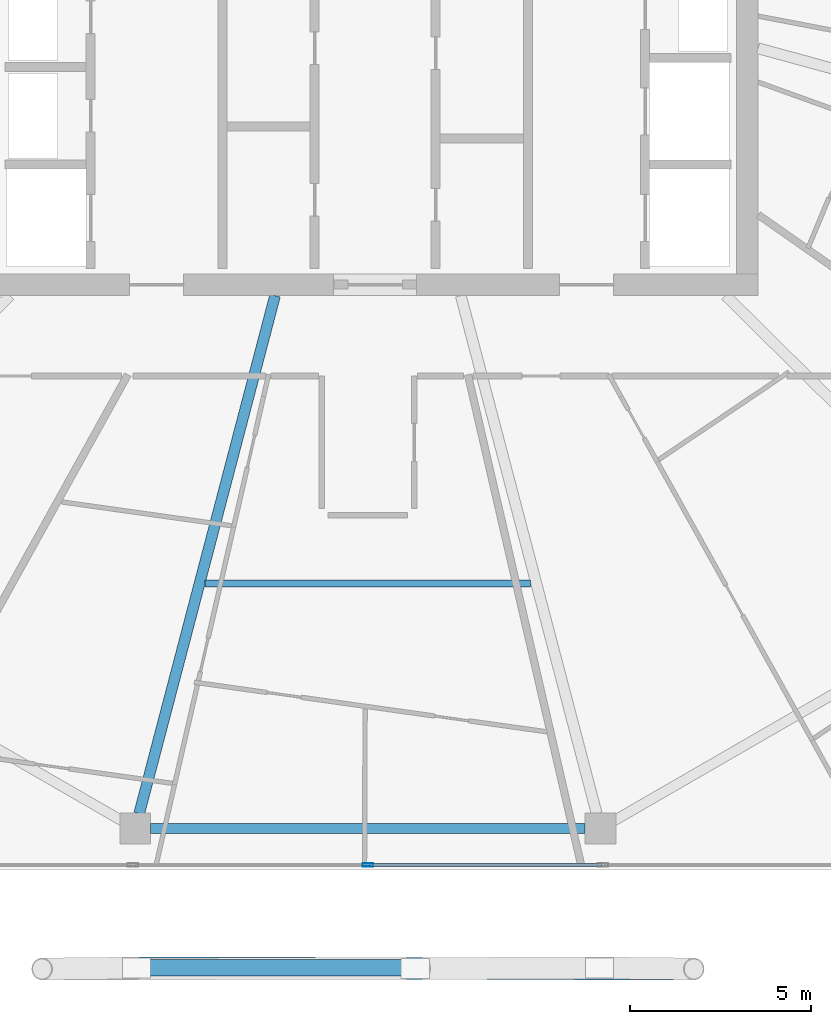
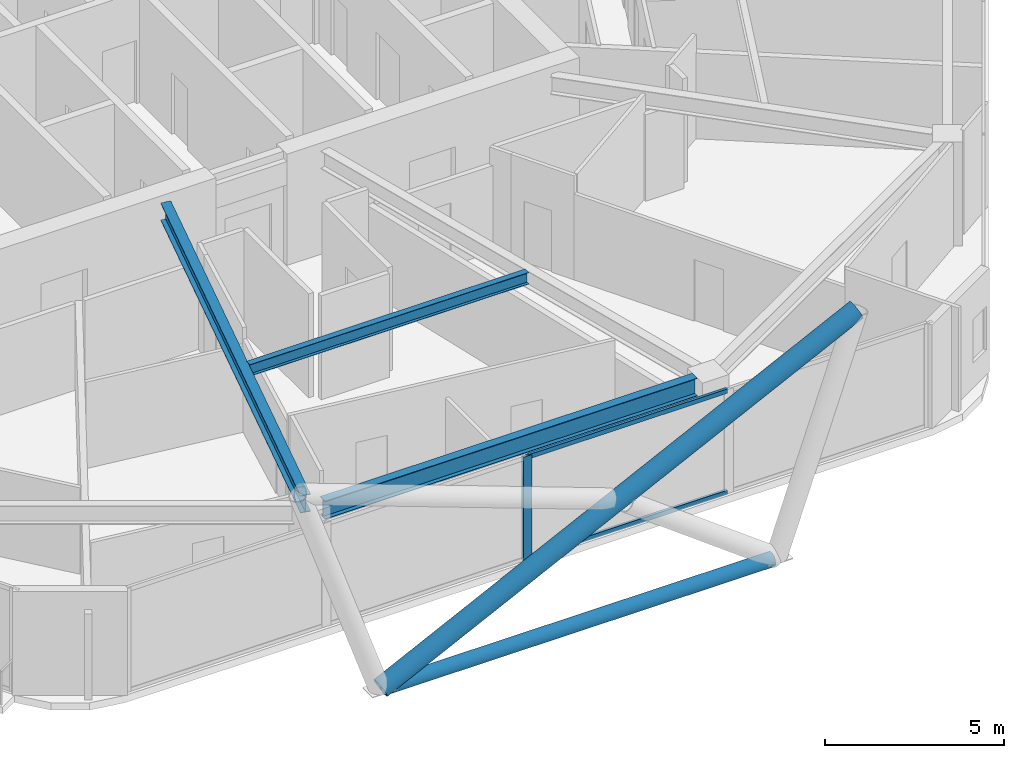
# One storey, part 4 of 28: 5 members, 3 beams, 1 element without a shape of its own.
"""IFC4 building model written with IfcOpenShell, lengths in metres."""

from ifc_helpers import new_model, si_unit, direction, frame, origin, origin_2d, place, context, subcontext, project, spatial, hollow_rectangle, hollow_circle, i_section, extrude, material, material_profile, profile_set, type_object, element, aggregate, save


model = new_model("IFC4")

# Units and contexts
model_context = context("Model", 3, precision=1e-05, world=origin(), true_north=direction((0.0, 1.0)))
body_context = subcontext(model_context, "Body", "Model", "MODEL_VIEW")
ifc_project = project(units=[si_unit("LENGTHUNIT", "METRE"), si_unit("AREAUNIT", "SQUARE_METRE"), si_unit("VOLUMEUNIT", "CUBIC_METRE"), si_unit("PLANEANGLEUNIT", "RADIAN"), si_unit("MASSUNIT", "GRAM", prefix="KILO")], contexts=[model_context])

# Site, building, storey
site_placement = place(None, origin())
site = spatial("IfcSite", under=ifc_project, at=site_placement, CompositionType="ELEMENT")
building_placement = place(site_placement, origin())
building = spatial("IfcBuilding", under=site, at=building_placement, Name="Zuhravey Tower", CompositionType="ELEMENT")
storey_placement = place(building_placement, frame((0.0, 0.0, 284.39990234375)))
storey = spatial("IfcBuildingStorey", under=building, at=storey_placement, Name="L72", CompositionType="ELEMENT", Elevation=284.39990234375)

# Curtain wall, members
ifc_material_1 = material(Name="Thermally broken anodised aluminium", Category="aluminium")
curtain_wall_type = type_object("IfcCurtainWallType", Name="Zone 3-4 High-Rise Curtain Wall CW4", PredefinedType="NOTDEFINED", material=ifc_material_1)
curtain_wall_placement = place(storey_placement, origin())
curtain_wall = element("IfcCurtainWall", 1, at=curtain_wall_placement, inside=storey, type_object=curtain_wall_type, Name="L72 CW4 CW-L72-F5-1", PredefinedType="NOTDEFINED")
ifc_material_2 = material(Name="Anodised aluminium", Category="aluminium")
ifc_material_profile_1 = material_profile(ifc_material_2, hollow_rectangle(XDim=0.090087890625, YDim=0.284912109375, WallThickness=0.0048828125, at=origin_2d()), Name="ALU-RHS-90x285x5")
ifc_profile_set_1 = profile_set([ifc_material_profile_1], Name="Anodised aluminium")
member_type_1 = type_object("IfcMemberType", Name="Curtain-Wall Mullion 90x180", PredefinedType="MULLION", material=ifc_profile_set_1)
member_1_placement = place(storey_placement, frame((36.0, 6.436279296875, 0.0), z_axis=(0.0, 0.0, 1.0), x_axis=(0.0, -1.0, 0.0)))
member_1 = element("IfcMember", 2, at=member_1_placement, type_object=member_type_1, Name="CW4 mullion 3", PredefinedType="MULLION", context=body_context, shape_type="SweptSolid", body=[
    extrude(hollow_rectangle(XDim=0.090087890625, YDim=0.284912109375, WallThickness=0.0048828125, at=origin_2d()), origin(), (0.0, 0.0, 1.0), 3.550048828125),
])
ifc_material_profile_2 = material_profile(ifc_material_2, hollow_rectangle(XDim=0.090087890625, YDim=0.14990234375, WallThickness=0.0048828125, at=origin_2d()), Name="ALU-RHS-90x150x5")
ifc_profile_set_2 = profile_set([ifc_material_profile_2], Name="Anodised aluminium")
member_type_2 = type_object("IfcMemberType", Name="Curtain-Wall Transom 90x150", PredefinedType="USERDEFINED", material=ifc_profile_set_2)
member_2_placement = place(storey_placement, frame((42.46142578125, 6.436279296875, 0.045166015625), z_axis=(-1.0, 0.0, 0.0), x_axis=(0.0, -1.0, 0.0)))
member_2 = element("IfcMember", 3, at=member_2_placement, type_object=member_type_2, Name="CW4 transom 2.1", ObjectType="TRANSOM", PredefinedType="USERDEFINED", context=body_context, shape_type="SweptSolid", body=[
    extrude(hollow_rectangle(XDim=0.090087890625, YDim=0.14990234375, WallThickness=0.0048828125, at=origin_2d()), origin(), (0.0, 0.0, 1.0), 6.41650390625),
])
member_3_placement = place(storey_placement, frame((42.46142578125, 6.436279296875, 3.505126953125), z_axis=(-1.0, 0.0, 0.0), x_axis=(0.0, -1.0, 0.0)))
member_3 = element("IfcMember", 4, at=member_3_placement, type_object=member_type_2, Name="CW4 transom 2.2", ObjectType="TRANSOM", PredefinedType="USERDEFINED", context=body_context, shape_type="SweptSolid", body=[
    extrude(hollow_rectangle(XDim=0.090087890625, YDim=0.14990234375, WallThickness=0.0048828125, at=origin_2d()), origin(), (0.0, 0.0, 1.0), 6.41650390625),
])
aggregate(curtain_wall, [member_1, member_2, member_3])

# Members
ifc_material_3 = material(Name="Steel SM355", Category="steel")
ifc_material_profile_3 = material_profile(ifc_material_3, hollow_circle(Radius=0.228515625, WallThickness=0.02197265625, at=origin_2d()), Name="CHS-457.2x22")
ifc_profile_set_3 = profile_set([ifc_material_profile_3], Name="Steel SM355")
member_type_3 = type_object("IfcMemberType", Name="Exoskeleton Ring Tie CHS457x22", PredefinedType="CHORD", material=ifc_profile_set_3)
member_4_placement = place(storey_placement, frame((29.732421875, 3.58642578125, -0.4638671875), z_axis=(1.0, 0.0, 0.0), x_axis=(0.0, 1.0, 0.0)))
element("IfcMember", 5, at=member_4_placement, inside=storey, type_object=member_type_3, Name="L72 Exoskeleton Face 5 Tie EXR1", PredefinedType="CHORD", context=body_context, shape_type="SweptSolid", body=[
    extrude(hollow_circle(Radius=0.228515625, WallThickness=0.02197265625, at=origin_2d()), origin(), (0.0, 0.0, 1.0), 12.53515625),
])
ifc_material_profile_4 = material_profile(ifc_material_3, hollow_circle(Radius=0.3046875, WallThickness=0.028076171875, at=origin_2d()), Name="CHS-609.6x28")
ifc_profile_set_4 = profile_set([ifc_material_profile_4], Name="Steel SM355")
member_type_4 = type_object("IfcMemberType", Name="Exoskeleton Zone 3 Diagrid CHS610x28", PredefinedType="BRACE", material=ifc_profile_set_4)
member_5_placement = place(storey_placement, frame((29.62890625, 3.58642578125, -0.44580078125), z_axis=(0.897160431159, -0.001753575188, 0.44170135356), x_axis=(0.001954580004, 0.999998089807, 0.0)))
element("IfcMember", 6, at=member_5_placement, inside=storey, type_object=member_type_4, Name="L72 Face 5 Diagrid Brace 2", PredefinedType="BRACE", context=body_context, shape_type="SweptSolid", body=[
    extrude(hollow_circle(Radius=0.3046875, WallThickness=0.028076171875, at=origin_2d()), origin(), (0.0, 0.0, 1.0), 17.12451171875),
])

# Beams
ifc_material_profile_5 = material_profile(ifc_material_3, i_section(OverallWidth=0.280029296875, OverallDepth=0.6201171875, WebThickness=0.011962890625, FlangeThickness=0.02001953125, at=origin_2d()), Name="H-620x280x12x20")
ifc_profile_set_5 = profile_set([ifc_material_profile_5], Name="Steel SM355")
beam_type_1 = type_object("IfcBeamType", Name="Perimeter Ring Beam H620x280", PredefinedType="BEAM", material=ifc_profile_set_5)
beam_1_placement = place(storey_placement, frame((29.987060546875, 7.4462890625, 3.239990234375), z_axis=(1.0, 0.0, 0.0), x_axis=(0.0, 1.0, 0.0)))
element("IfcBeam", 7, at=beam_1_placement, inside=storey, type_object=beam_type_1, Name="L72 PB3 BM-L72-PB-09", PredefinedType="BEAM", context=body_context, shape_type="SweptSolid", body=[
    extrude(i_section(OverallWidth=0.280029296875, OverallDepth=0.6201171875, WebThickness=0.011962890625, FlangeThickness=0.02001953125, at=origin_2d()), origin(), (0.0, 0.0, 1.0), 12.02587890625),
])
ifc_material_profile_6 = material_profile(ifc_material_3, i_section(OverallWidth=0.300048828125, OverallDepth=0.60009765625, WebThickness=0.011962890625, FlangeThickness=0.02001953125, at=origin_2d()), Name="H-600x300x12x20")
ifc_profile_set_6 = profile_set([ifc_material_profile_6], Name="Steel SM355")
beam_type_2 = type_object("IfcBeamType", Name="Radial Primary Girder H600x300", PredefinedType="BEAM", material=ifc_profile_set_6)
beam_2_placement = place(storey_placement, frame((33.428466796875, 22.197021484375, 3.25), z_axis=(-0.25373188956, -0.967274587809, 0.0), x_axis=(0.967274587809, -0.25373188956, 0.0)))
element("IfcBeam", 8, at=beam_2_placement, inside=storey, type_object=beam_type_2, Name="L72 RG3 BM-L72-RAD-09", PredefinedType="BEAM", context=body_context, shape_type="SweptSolid", body=[
    extrude(i_section(OverallWidth=0.300048828125, OverallDepth=0.60009765625, WebThickness=0.011962890625, FlangeThickness=0.02001953125, at=origin_2d()), origin(), (0.0, 0.0, 1.0), 14.82177734375),
])
ifc_material_profile_7 = material_profile(ifc_material_3, i_section(OverallWidth=0.199951171875, OverallDepth=0.39990234375, WebThickness=0.008056640625, FlangeThickness=0.012939453125, at=origin_2d()), Name="H-400x200x8x13")
ifc_profile_set_7 = profile_set([ifc_material_profile_7], Name="Steel SM355")
beam_type_3 = type_object("IfcBeamType", Name="Secondary Floor Joist H400x200", PredefinedType="JOIST", material=ifc_profile_set_7)
beam_3_placement = place(storey_placement, frame((31.492919921875, 14.231689453125, 3.35009765625), z_axis=(1.0, 0.0, 0.0), x_axis=(0.0, 1.0, 0.0)))
element("IfcBeam", 9, at=beam_3_placement, inside=storey, type_object=beam_type_3, Name="L72 SJ2 BM-L72-SJ-09-1", PredefinedType="JOIST", context=body_context, shape_type="SweptSolid", body=[
    extrude(i_section(OverallWidth=0.199951171875, OverallDepth=0.39990234375, WebThickness=0.008056640625, FlangeThickness=0.012939453125, at=origin_2d()), origin(), (0.0, 0.0, 1.0), 9.01416015625),
])

save(model, "model.ifc")
